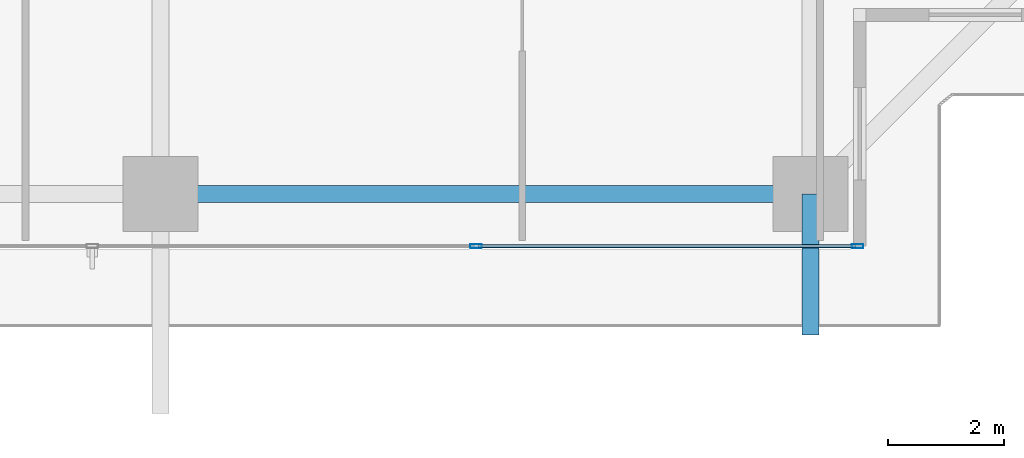
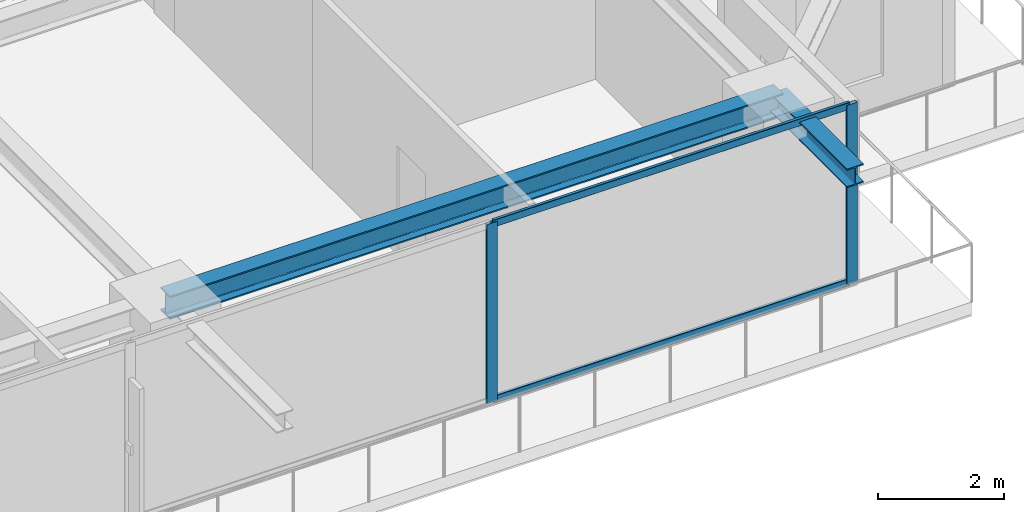
# One storey, part 12 of 39: 4 members, 2 beams, 1 element without a shape of its own.
"""IFC4 building model written with IfcOpenShell, lengths in metres."""

from ifc_helpers import new_model, si_unit, direction, frame, origin, origin_2d, place, context, subcontext, project, spatial, hollow_rectangle, i_section, extrude, source, transform, mapped, material, layer, layer_set, material_profile, profile_set, type_object, element, aggregate, save


model = new_model("IFC4")

# Units and contexts
model_context = context("Model", 3, precision=1e-05, world=origin(), true_north=direction((0.0, 1.0)))
body_context = subcontext(model_context, "Body", "Model", "MODEL_VIEW")
ifc_project = project(units=[si_unit("LENGTHUNIT", "METRE"), si_unit("AREAUNIT", "SQUARE_METRE"), si_unit("VOLUMEUNIT", "CUBIC_METRE"), si_unit("PLANEANGLEUNIT", "RADIAN"), si_unit("MASSUNIT", "GRAM", prefix="KILO")], contexts=[model_context])

# Site, building, storey
site_placement = place(None, origin())
site = spatial("IfcSite", under=ifc_project, at=site_placement, CompositionType="ELEMENT")
building_placement = place(site_placement, origin())
building = spatial("IfcBuilding", under=site, at=building_placement, Name="Serunith Strait Residences", CompositionType="ELEMENT")
storey_placement = place(building_placement, frame((0.0, 0.0, 168.89990234375)))
storey = spatial("IfcBuildingStorey", under=building, at=storey_placement, Name="L42", CompositionType="ELEMENT", Elevation=168.89990234375)

# Beams
ifc_material_1 = material(Name="Steel S355J2", Category="steel")
ifc_material_profile_1 = material_profile(ifc_material_1, i_section(OverallWidth=0.300048828125, OverallDepth=0.449951171875, WebThickness=0.013916015625, FlangeThickness=0.02587890625, FilletRadius=0.027099609375, at=origin_2d()), Name="HEB 450")
ifc_profile_set_1 = profile_set([ifc_material_profile_1], Name="Steel S355J2")
beam_type_1 = type_object("IfcBeamType", Name="BM-HEB450", PredefinedType="BEAM", material=ifc_profile_set_1)
shared_shape_1 = source(origin(), body_context, "Body", "SweptSolid", [
    extrude(i_section(OverallWidth=0.300048828125, OverallDepth=0.449951171875, WebThickness=0.013916015625, FlangeThickness=0.02587890625, FilletRadius=0.027099609375, at=origin_2d()), origin(), (0.0, 0.0, 1.0), 11.25),
])
beam_1_placement = place(storey_placement, frame((36.89990234375, 2.300048828125, 3.26220703125), z_axis=(1.0, 0.0, 0.0), x_axis=(0.0, 1.0, 0.0)))
element("IfcBeam", 1, at=beam_1_placement, inside=storey, type_object=beam_type_1, Name="L42 Perimeter Ring Beam 03", PredefinedType="BEAM", context=body_context, shape_type="MappedRepresentation", body=[
    mapped(shared_shape_1, transform((0.0, 0.0, 0.0), scale=1.0)),
])
ifc_material_profile_2 = material_profile(ifc_material_1, i_section(OverallWidth=0.300048828125, OverallDepth=0.360107421875, WebThickness=0.012451171875, FlangeThickness=0.0224609375, FilletRadius=0.027099609375, at=origin_2d()), Name="HEB 360")
ifc_profile_set_2 = profile_set([ifc_material_profile_2], Name="Steel S355J2")
beam_type_2 = type_object("IfcBeamType", Name="BM-HEB360", PredefinedType="BEAM", material=ifc_profile_set_2)
shared_shape_2 = source(origin(), body_context, "Body", "SweptSolid", [
    extrude(i_section(OverallWidth=0.300048828125, OverallDepth=0.360107421875, WebThickness=0.012451171875, FlangeThickness=0.0224609375, FilletRadius=0.027099609375, at=origin_2d()), origin(), (0.0, 0.0, 1.0), 2.44091796875),
])
beam_2_placement = place(storey_placement, frame((48.14990234375, 2.300048828125, 3.277099609375), z_axis=(0.0, -1.0, 0.0), x_axis=(1.0, 0.0, 0.0)))
element("IfcBeam", 2, at=beam_2_placement, inside=storey, type_object=beam_type_2, Name="L43 Cantilevered Balcony Rib TC-S4", PredefinedType="BEAM", context=body_context, shape_type="MappedRepresentation", body=[
    mapped(shared_shape_2, transform((0.0, 0.0, 0.0), scale=1.0)),
])

# Curtain wall, members
ifc_material_2 = material(Name="Pale-Champagne Anodised Aluminium", Category="aluminium")
ifc_layer = layer(ifc_material_2, 0.199951171875, Name="Pale-Champagne Anodised Aluminium")
ifc_layer_set = layer_set([ifc_layer], Name="Pale-Champagne Anodised Aluminium")
curtain_wall_type = type_object("IfcCurtainWallType", Name="CW-SYS2", PredefinedType="NOTDEFINED", material=ifc_layer_set)
curtain_wall_placement = place(storey_placement, origin())
curtain_wall = element("IfcCurtainWall", 3, at=curtain_wall_placement, inside=storey, type_object=curtain_wall_type, Name="L42 S Unitised Fritted Curtain Wall", PredefinedType="NOTDEFINED")
ifc_material_profile_3 = material_profile(ifc_material_2, hollow_rectangle(XDim=0.070068359375, YDim=0.199951171875, WallThickness=0.00390625, InnerFilletRadius=0.006103515625, OuterFilletRadius=0.010009765625, at=origin_2d()), Name="ALU 200x70x4")
ifc_profile_set_3 = profile_set([ifc_material_profile_3], Name="Pale-Champagne Anodised Aluminium")
member_type_1 = type_object("IfcMemberType", Name="CW-SYS2-MULL", PredefinedType="MULLION", material=ifc_profile_set_3)
shared_shape_3 = source(origin(), body_context, "Body", "SweptSolid", [
    extrude(hollow_rectangle(XDim=0.070068359375, YDim=0.199951171875, WallThickness=0.00390625, InnerFilletRadius=0.006103515625, OuterFilletRadius=0.010009765625, at=origin_2d()), origin(), (0.0, 0.0, 1.0), 3.47509765625),
])
member_1_placement = place(storey_placement, frame((42.360107421875, 1.39990234375, 0.0), z_axis=(0.0, 0.0, 1.0), x_axis=(0.0, 1.0, 0.0)))
member_1 = element("IfcMember", 4, at=member_1_placement, type_object=member_type_1, Name="CW-2 mullion 5", PredefinedType="MULLION", context=body_context, shape_type="MappedRepresentation", body=[
    mapped(shared_shape_3, transform((0.0, 0.0, 0.0), scale=1.0)),
])
member_2_placement = place(storey_placement, frame((48.965087890625, 1.39990234375, 0.0), z_axis=(0.0, 0.0, 1.0), x_axis=(0.0, 1.0, 0.0)))
member_2 = element("IfcMember", 5, at=member_2_placement, type_object=member_type_1, Name="CW-2 mullion 6", PredefinedType="MULLION", context=body_context, shape_type="MappedRepresentation", body=[
    mapped(shared_shape_3, transform((0.0, 0.0, 0.0), scale=1.0)),
])
ifc_material_profile_4 = material_profile(ifc_material_2, hollow_rectangle(XDim=0.06005859375, YDim=0.139892578125, WallThickness=0.00341796875, InnerFilletRadius=0.00537109375, OuterFilletRadius=0.0087890625, at=origin_2d()), Name="ALU 140x60x3.5")
ifc_profile_set_4 = profile_set([ifc_material_profile_4], Name="Pale-Champagne Anodised Aluminium")
member_type_2 = type_object("IfcMemberType", Name="CW-SYS2-TRAN", PredefinedType="USERDEFINED", material=ifc_profile_set_4)
shared_shape_4 = source(origin(), body_context, "Body", "SweptSolid", [
    extrude(hollow_rectangle(XDim=0.06005859375, YDim=0.139892578125, WallThickness=0.00341796875, InnerFilletRadius=0.00537109375, OuterFilletRadius=0.0087890625, at=origin_2d()), origin(), (0.0, 0.0, 1.0), 6.534912109375),
])
member_3_placement = place(storey_placement, frame((42.39501953125, 1.39990234375, 0.030029296875), z_axis=(1.0, 0.0, 0.0), x_axis=(0.0, 1.0, 0.0)))
member_3 = element("IfcMember", 6, at=member_3_placement, type_object=member_type_2, Name="CW-2 transom 5.1", ObjectType="TRANSOM", PredefinedType="USERDEFINED", context=body_context, shape_type="MappedRepresentation", body=[
    mapped(shared_shape_4, transform((0.0, 0.0, 0.0), scale=1.0)),
])
member_4_placement = place(storey_placement, frame((42.39501953125, 1.39990234375, 3.445068359375), z_axis=(1.0, 0.0, 0.0), x_axis=(0.0, 1.0, 0.0)))
member_4 = element("IfcMember", 7, at=member_4_placement, type_object=member_type_2, Name="CW-2 transom 5.2", ObjectType="TRANSOM", PredefinedType="USERDEFINED", context=body_context, shape_type="MappedRepresentation", body=[
    mapped(shared_shape_4, transform((0.0, 0.0, 0.0), scale=1.0)),
])
aggregate(curtain_wall, [member_1, member_2, member_3, member_4])

save(model, "model.ifc")
